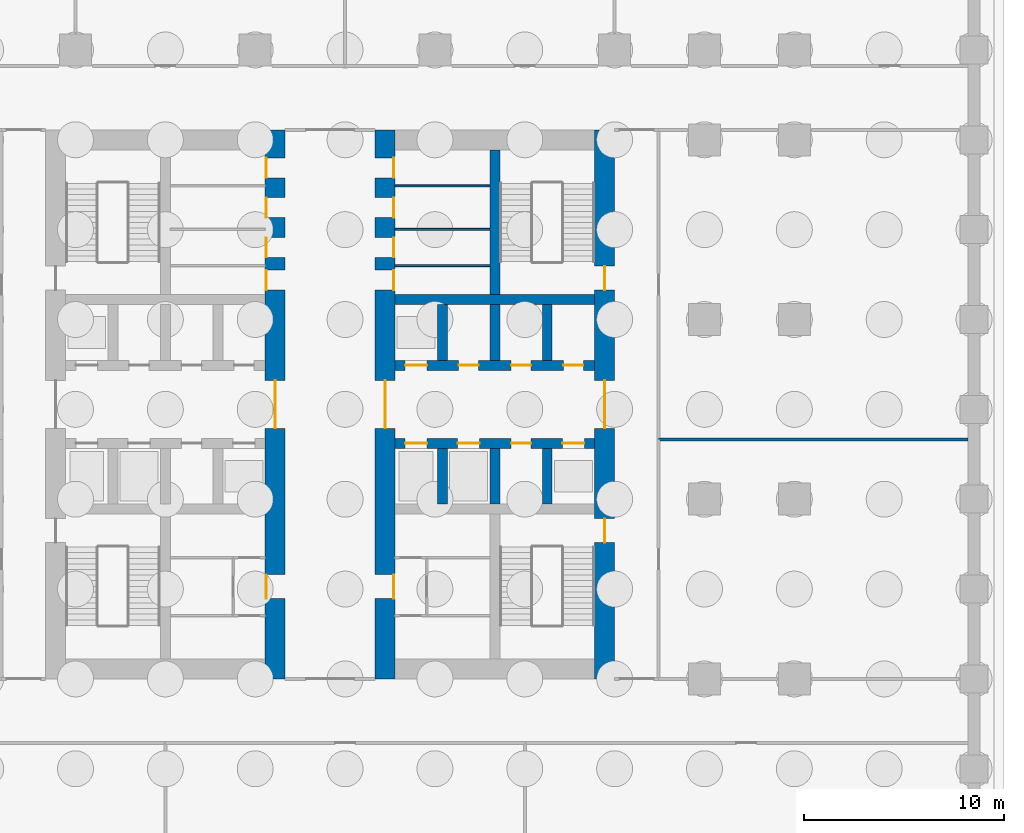
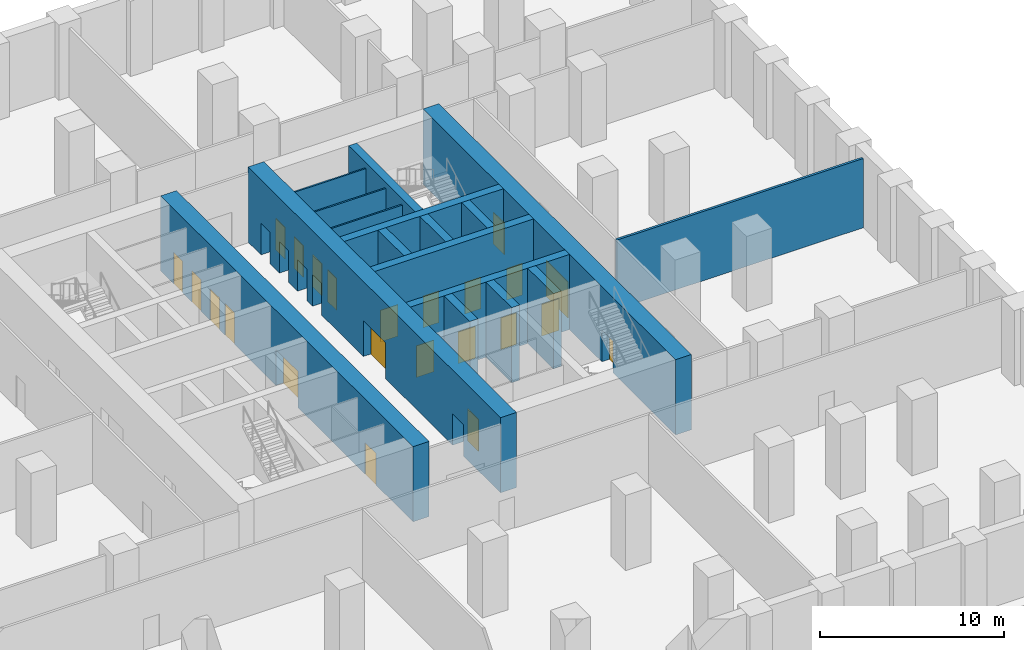
# One storey, part 5 of 9: 23 doors, 17 walls, 23 openings.
"""IFC4 building model written with IfcOpenShell, lengths in metres."""

from ifc_helpers import new_model, si_unit, direction, frame, frame_2d, origin, place, context, subcontext, project, spatial, rectangle, extrude, material, layer, layer_set, type_object, element, fill, save


model = new_model("IFC4")

# Units and contexts
model_context = context("Model", 3, precision=1e-05, world=origin(), true_north=direction((0.0, 1.0)))
body_context = subcontext(model_context, "Body", "Model", "MODEL_VIEW")
ifc_project = project(units=[si_unit("LENGTHUNIT", "METRE"), si_unit("AREAUNIT", "SQUARE_METRE"), si_unit("VOLUMEUNIT", "CUBIC_METRE"), si_unit("PLANEANGLEUNIT", "RADIAN"), si_unit("MASSUNIT", "GRAM", prefix="KILO")], contexts=[model_context])

# Site, building, storey
site_placement = place(None, origin())
site = spatial("IfcSite", under=ifc_project, at=site_placement, CompositionType="ELEMENT")
building_placement = place(site_placement, origin())
building = spatial("IfcBuilding", under=site, at=building_placement, Name="Corbel Stack Research Tower", CompositionType="ELEMENT")
storey_placement = place(building_placement, frame((0.0, 0.0, -10.0)))
storey = spatial("IfcBuildingStorey", under=building, at=storey_placement, Name="B2", CompositionType="ELEMENT", Elevation=-10.0)

# Wall
ifc_material_1 = material(Name="Concrete block", Category="concrete")
ifc_layer_1 = layer(ifc_material_1, 0.14990234375)
ifc_layer_set_1 = layer_set([ifc_layer_1], Name="Concrete block")
wall_type_1 = type_object("IfcWallType", Name="Base partition 150 B2", PredefinedType="PARTITIONING", material=ifc_layer_set_1)
wall_1_placement = place(storey_placement, frame((20.199951171875, 3.0, 0.0), z_axis=(0.0, 0.0, 1.0), x_axis=(1.0, 0.0, 0.0)))
element("IfcWall", 1, at=wall_1_placement, inside=storey, type_object=wall_type_1, Name="Partition B2", PredefinedType="PARTITIONING", context=body_context, shape_type="SweptSolid", body=[
    extrude(rectangle(XDim=15.5, YDim=0.14990234375, at=frame_2d((7.75, 0.0))), origin(), (0.0, 0.0, 1.0), 4.60009765625),
])

# Wall, openings, doors
ifc_material_2 = material(Name="Concrete C70/85", Category="concrete")
ifc_layer_2 = layer(ifc_material_2, 1.0)
ifc_layer_set_2 = layer_set([ifc_layer_2], Name="Concrete C70/85")
wall_type_2 = type_object("IfcWallType", Name="CW-1000-70", PredefinedType="SHEAR", material=ifc_layer_set_2)
wall_2_placement = place(storey_placement, frame((1.0, -9.0, 0.0), z_axis=(0.0, 0.0, 1.0), x_axis=(0.0, 1.0, 0.0)))
wall_2 = element("IfcWall", 2, at=wall_2_placement, inside=storey, type_object=wall_type_2, Name="West core wall, east face B2", PredefinedType="SHEAR", context=body_context, shape_type="SweptSolid", body=[
    extrude(rectangle(XDim=27.5, YDim=1.0, at=frame_2d((13.75, 0.0))), origin(), (0.0, 0.0, 1.0), 5.0),
])
opening_1_placement = place(wall_2_placement, frame((12.550048828125, 0.0, 0.0)))
opening_1 = element("IfcOpeningElement", 3, at=opening_1_placement, cuts=wall_2, Name="Opening CD-W-E", PredefinedType="OPENING", context=body_context, shape_type="SweptSolid", body=[
    extrude(rectangle(XDim=2.39990234375, YDim=2.39990234375, at=frame_2d((1.199951171875, 1.199951171875))), frame((0.0, 0.510009765625, 0.0), z_axis=(0.0, -1.0, 0.0), x_axis=(1.0, 0.0, 0.0)), (0.0, 0.0, 1.0), 1.02001953125),
])
opening_2_placement = place(wall_2_placement, frame((4.02490234375, 0.0, 0.0)))
opening_2 = element("IfcOpeningElement", 4, at=opening_2_placement, cuts=wall_2, Name="Opening CR-W36-W1-1200", PredefinedType="OPENING", context=body_context, shape_type="SweptSolid", body=[
    extrude(rectangle(XDim=1.199951171875, YDim=2.10009765625, at=frame_2d((0.60009765625, 1.050048828125))), frame((0.0, 0.510009765625, 0.0), z_axis=(0.0, -1.0, 0.0), x_axis=(1.0, 0.0, 0.0)), (0.0, 0.0, 1.0), 1.02001953125),
])
opening_3_placement = place(wall_2_placement, frame((19.47509765625, 0.0, 0.0)))
opening_3 = element("IfcOpeningElement", 5, at=opening_3_placement, cuts=wall_2, Name="Opening CR-W36-R1-1000", PredefinedType="OPENING", context=body_context, shape_type="SweptSolid", body=[
    extrude(rectangle(XDim=1.0, YDim=2.10009765625, at=frame_2d((0.5, 1.050048828125))), frame((0.0, 0.510009765625, 0.0), z_axis=(0.0, -1.0, 0.0), x_axis=(1.0, 0.0, 0.0)), (0.0, 0.0, 1.0), 1.02001953125),
])
opening_4_placement = place(wall_2_placement, frame((21.106201171875, 0.0, 0.0)))
opening_4 = element("IfcOpeningElement", 6, at=opening_4_placement, cuts=wall_2, Name="Opening CR-W36-R2-1000", PredefinedType="OPENING", context=body_context, shape_type="SweptSolid", body=[
    extrude(rectangle(XDim=1.0, YDim=2.10009765625, at=frame_2d((0.5, 1.050048828125))), frame((0.0, 0.510009765625, 0.0), z_axis=(0.0, -1.0, 0.0), x_axis=(1.0, 0.0, 0.0)), (0.0, 0.0, 1.0), 1.02001953125),
])
opening_5_placement = place(wall_2_placement, frame((23.10009765625, 0.0, 0.0)))
opening_5 = element("IfcOpeningElement", 7, at=opening_5_placement, cuts=wall_2, Name="Opening CR-W36-R3-1000", PredefinedType="OPENING", context=body_context, shape_type="SweptSolid", body=[
    extrude(rectangle(XDim=1.0, YDim=2.10009765625, at=frame_2d((0.5, 1.050048828125))), frame((0.0, 0.510009765625, 0.0), z_axis=(0.0, -1.0, 0.0), x_axis=(1.0, 0.0, 0.0)), (0.0, 0.0, 1.0), 1.02001953125),
])
opening_6_placement = place(wall_2_placement, frame((25.09375, 0.0, 0.0)))
opening_6 = element("IfcOpeningElement", 8, at=opening_6_placement, cuts=wall_2, Name="Opening CR-W36-R4-1000", PredefinedType="OPENING", context=body_context, shape_type="SweptSolid", body=[
    extrude(rectangle(XDim=1.0, YDim=2.10009765625, at=frame_2d((0.5, 1.050048828125))), frame((0.0, 0.510009765625, 0.0), z_axis=(0.0, -1.0, 0.0), x_axis=(1.0, 0.0, 0.0)), (0.0, 0.0, 1.0), 1.02001953125),
])
ifc_material_3 = material(Name="Painted steel fire door", Category="steel")
door_type_1 = type_object("IfcDoorType", Name="Lobby door pair 2400 x 2400 FD30S", OperationType="DOUBLE_DOOR_DOUBLE_SWING", PredefinedType="DOOR", material=ifc_material_3)
door_1_placement = place(opening_1_placement, origin())
door_1 = element("IfcDoor", 9, at=door_1_placement, inside=storey, type_object=door_type_1, Name="Lift lobby door W core E", OperationType="DOUBLE_DOOR_DOUBLE_SWING", OverallHeight=2.39990234375, OverallWidth=2.39990234375, PredefinedType="DOOR", context=body_context, shape_type="SweptSolid", body=[
    extrude(rectangle(XDim=2.39990234375, YDim=2.39990234375, at=frame_2d((1.199951171875, 1.199951171875))), frame((0.0, 0.02490234375, 0.0), z_axis=(0.0, -1.0, 0.0), x_axis=(1.0, 0.0, 0.0)), (0.0, 0.0, 1.0), 0.050048828125),
])
fill(opening_1, door_1)
ifc_material_4 = material(Name="Painted steel door", Category="steel")
door_type_2 = type_object("IfcDoorType", Name="Riser door 1000 x 2100 FD60 left hand", OperationType="SINGLE_SWING_LEFT", PredefinedType="DOOR", material=ifc_material_4)
door_2_placement = place(opening_3_placement, origin())
door_2 = element("IfcDoor", 10, at=door_2_placement, inside=storey, type_object=door_type_2, Name="Electrical riser door W core", OperationType="SINGLE_SWING_LEFT", OverallHeight=2.10009765625, OverallWidth=1.0, PredefinedType="DOOR", context=body_context, shape_type="SweptSolid", body=[
    extrude(rectangle(XDim=1.0, YDim=2.10009765625, at=frame_2d((0.5, 1.050048828125))), frame((0.0, 0.47509765625, 0.0), z_axis=(0.0, -1.0, 0.0), x_axis=(1.0, 0.0, 0.0)), (0.0, 0.0, 1.0), 0.050048828125),
])
fill(opening_3, door_2)
ifc_material_5 = material(Name="Painted steel door", Category="steel")
door_type_3 = type_object("IfcDoorType", Name="Riser door 1000 x 2100 FD60 right hand", OperationType="SINGLE_SWING_RIGHT", PredefinedType="DOOR", material=ifc_material_5)
door_3_placement = place(opening_4_placement, origin())
door_3 = element("IfcDoor", 11, at=door_3_placement, inside=storey, type_object=door_type_3, Name="Telecom room door W core", OperationType="SINGLE_SWING_RIGHT", OverallHeight=2.10009765625, OverallWidth=1.0, PredefinedType="DOOR", context=body_context, shape_type="SweptSolid", body=[
    extrude(rectangle(XDim=1.0, YDim=2.10009765625, at=frame_2d((0.5, 1.050048828125))), frame((0.0, 0.47509765625, 0.0), z_axis=(0.0, -1.0, 0.0), x_axis=(1.0, 0.0, 0.0)), (0.0, 0.0, 1.0), 0.050048828125),
])
fill(opening_4, door_3)
ifc_material_6 = material(Name="Painted steel door", Category="steel")
door_type_4 = type_object("IfcDoorType", Name="Service door 1000 x 2100 FD30 left hand", OperationType="SINGLE_SWING_LEFT", PredefinedType="DOOR", material=ifc_material_6)
door_4_placement = place(opening_5_placement, origin())
door_4 = element("IfcDoor", 12, at=door_4_placement, inside=storey, type_object=door_type_4, Name="Pantry door W core", OperationType="SINGLE_SWING_LEFT", OverallHeight=2.10009765625, OverallWidth=1.0, PredefinedType="DOOR", context=body_context, shape_type="SweptSolid", body=[
    extrude(rectangle(XDim=1.0, YDim=2.10009765625, at=frame_2d((0.5, 1.050048828125))), frame((0.0, 0.47509765625, 0.0), z_axis=(0.0, -1.0, 0.0), x_axis=(1.0, 0.0, 0.0)), (0.0, 0.0, 1.0), 0.050048828125),
])
fill(opening_5, door_4)
ifc_material_7 = material(Name="Painted steel door", Category="steel")
door_type_5 = type_object("IfcDoorType", Name="Service door 1000 x 2100 FD30 right hand", OperationType="SINGLE_SWING_RIGHT", PredefinedType="DOOR", material=ifc_material_7)
door_5_placement = place(opening_6_placement, origin())
door_5 = element("IfcDoor", 13, at=door_5_placement, inside=storey, type_object=door_type_5, Name="Cleaner's store door W core", OperationType="SINGLE_SWING_RIGHT", OverallHeight=2.10009765625, OverallWidth=1.0, PredefinedType="DOOR", context=body_context, shape_type="SweptSolid", body=[
    extrude(rectangle(XDim=1.0, YDim=2.10009765625, at=frame_2d((0.5, 1.050048828125))), frame((0.0, 0.47509765625, 0.0), z_axis=(0.0, -1.0, 0.0), x_axis=(1.0, 0.0, 0.0)), (0.0, 0.0, 1.0), 0.050048828125),
])
fill(opening_6, door_5)
ifc_material_8 = material(Name="Painted timber door", Category="wood")
door_type_6 = type_object("IfcDoorType", Name="WC door 1200 x 2100 left hand", OperationType="SINGLE_SWING_LEFT", PredefinedType="DOOR", material=ifc_material_8)
door_6_placement = place(opening_2_placement, origin())
door_6 = element("IfcDoor", 14, at=door_6_placement, inside=storey, type_object=door_type_6, Name="WC lobby door W core", OperationType="SINGLE_SWING_LEFT", OverallHeight=2.10009765625, OverallWidth=1.199951171875, PredefinedType="DOOR", context=body_context, shape_type="SweptSolid", body=[
    extrude(rectangle(XDim=1.199951171875, YDim=2.10009765625, at=frame_2d((0.60009765625, 1.050048828125))), frame((0.0, 0.47509765625, 0.0), z_axis=(0.0, -1.0, 0.0), x_axis=(1.0, 0.0, 0.0)), (0.0, 0.0, 1.0), 0.050048828125),
])
fill(opening_2, door_6)

wall_3_placement = place(storey_placement, frame((6.5, -9.0, 0.0), z_axis=(0.0, 0.0, 1.0), x_axis=(0.0, 1.0, 0.0)))
wall_3 = element("IfcWall", 15, at=wall_3_placement, inside=storey, type_object=wall_type_2, Name="East core wall, west face B2", PredefinedType="SHEAR", context=body_context, shape_type="SweptSolid", body=[
    extrude(rectangle(XDim=27.5, YDim=1.0, at=frame_2d((13.75, 0.0))), origin(), (0.0, 0.0, 1.0), 5.0),
])
opening_7_placement = place(wall_3_placement, frame((12.550048828125, 0.0, 0.0)))
opening_7 = element("IfcOpeningElement", 16, at=opening_7_placement, cuts=wall_3, Name="Opening CD-E-W", PredefinedType="OPENING", context=body_context, shape_type="SweptSolid", body=[
    extrude(rectangle(XDim=2.39990234375, YDim=2.39990234375, at=frame_2d((1.199951171875, 1.199951171875))), frame((0.0, 0.510009765625, 0.0), z_axis=(0.0, -1.0, 0.0), x_axis=(1.0, 0.0, 0.0)), (0.0, 0.0, 1.0), 1.02001953125),
])
opening_8_placement = place(wall_3_placement, frame((4.02490234375, 0.0, 0.0)))
opening_8 = element("IfcOpeningElement", 17, at=opening_8_placement, cuts=wall_3, Name="Opening CR-E36-W1-1200", PredefinedType="OPENING", context=body_context, shape_type="SweptSolid", body=[
    extrude(rectangle(XDim=1.199951171875, YDim=2.10009765625, at=frame_2d((0.60009765625, 1.050048828125))), frame((0.0, 0.510009765625, 0.0), z_axis=(0.0, -1.0, 0.0), x_axis=(1.0, 0.0, 0.0)), (0.0, 0.0, 1.0), 1.02001953125),
])
opening_9_placement = place(wall_3_placement, frame((19.47509765625, 0.0, 0.0)))
opening_9 = element("IfcOpeningElement", 18, at=opening_9_placement, cuts=wall_3, Name="Opening CR-E36-R1-1000", PredefinedType="OPENING", context=body_context, shape_type="SweptSolid", body=[
    extrude(rectangle(XDim=1.0, YDim=2.10009765625, at=frame_2d((0.5, 1.050048828125))), frame((0.0, 0.510009765625, 0.0), z_axis=(0.0, -1.0, 0.0), x_axis=(1.0, 0.0, 0.0)), (0.0, 0.0, 1.0), 1.02001953125),
])
opening_10_placement = place(wall_3_placement, frame((21.106201171875, 0.0, 0.0)))
opening_10 = element("IfcOpeningElement", 19, at=opening_10_placement, cuts=wall_3, Name="Opening CR-E36-R2-1000", PredefinedType="OPENING", context=body_context, shape_type="SweptSolid", body=[
    extrude(rectangle(XDim=1.0, YDim=2.10009765625, at=frame_2d((0.5, 1.050048828125))), frame((0.0, 0.510009765625, 0.0), z_axis=(0.0, -1.0, 0.0), x_axis=(1.0, 0.0, 0.0)), (0.0, 0.0, 1.0), 1.02001953125),
])
opening_11_placement = place(wall_3_placement, frame((23.10009765625, 0.0, 0.0)))
opening_11 = element("IfcOpeningElement", 20, at=opening_11_placement, cuts=wall_3, Name="Opening CR-E36-R3-1000", PredefinedType="OPENING", context=body_context, shape_type="SweptSolid", body=[
    extrude(rectangle(XDim=1.0, YDim=2.10009765625, at=frame_2d((0.5, 1.050048828125))), frame((0.0, 0.510009765625, 0.0), z_axis=(0.0, -1.0, 0.0), x_axis=(1.0, 0.0, 0.0)), (0.0, 0.0, 1.0), 1.02001953125),
])
opening_12_placement = place(wall_3_placement, frame((25.09375, 0.0, 0.0)))
opening_12 = element("IfcOpeningElement", 21, at=opening_12_placement, cuts=wall_3, Name="Opening CR-E36-R4-1000", PredefinedType="OPENING", context=body_context, shape_type="SweptSolid", body=[
    extrude(rectangle(XDim=1.0, YDim=2.10009765625, at=frame_2d((0.5, 1.050048828125))), frame((0.0, 0.510009765625, 0.0), z_axis=(0.0, -1.0, 0.0), x_axis=(1.0, 0.0, 0.0)), (0.0, 0.0, 1.0), 1.02001953125),
])
door_7_placement = place(opening_7_placement, origin())
door_7 = element("IfcDoor", 22, at=door_7_placement, inside=storey, type_object=door_type_1, Name="Lift lobby door E core W", OperationType="DOUBLE_DOOR_DOUBLE_SWING", OverallHeight=2.39990234375, OverallWidth=2.39990234375, PredefinedType="DOOR", context=body_context, shape_type="SweptSolid", body=[
    extrude(rectangle(XDim=2.39990234375, YDim=2.39990234375, at=frame_2d((1.199951171875, 1.199951171875))), frame((0.0, 0.02490234375, 0.0), z_axis=(0.0, -1.0, 0.0), x_axis=(1.0, 0.0, 0.0)), (0.0, 0.0, 1.0), 0.050048828125),
])
fill(opening_7, door_7)
door_8_placement = place(opening_10_placement, origin())
door_8 = element("IfcDoor", 23, at=door_8_placement, inside=storey, type_object=door_type_2, Name="Telecom room door E core", OperationType="SINGLE_SWING_LEFT", OverallHeight=2.10009765625, OverallWidth=1.0, PredefinedType="DOOR", context=body_context, shape_type="SweptSolid", body=[
    extrude(rectangle(XDim=1.0, YDim=2.10009765625, at=frame_2d((0.5, 1.050048828125))), frame((0.0, -0.4248046875, 0.0), z_axis=(0.0, -1.0, 0.0), x_axis=(1.0, 0.0, 0.0)), (0.0, 0.0, 1.0), 0.050048828125),
])
fill(opening_10, door_8)
door_9_placement = place(opening_9_placement, origin())
door_9 = element("IfcDoor", 24, at=door_9_placement, inside=storey, type_object=door_type_3, Name="Electrical riser door E core", OperationType="SINGLE_SWING_RIGHT", OverallHeight=2.10009765625, OverallWidth=1.0, PredefinedType="DOOR", context=body_context, shape_type="SweptSolid", body=[
    extrude(rectangle(XDim=1.0, YDim=2.10009765625, at=frame_2d((0.5, 1.050048828125))), frame((0.0, -0.4248046875, 0.0), z_axis=(0.0, -1.0, 0.0), x_axis=(1.0, 0.0, 0.0)), (0.0, 0.0, 1.0), 0.050048828125),
])
fill(opening_9, door_9)
door_10_placement = place(opening_12_placement, origin())
door_10 = element("IfcDoor", 25, at=door_10_placement, inside=storey, type_object=door_type_4, Name="Cleaner's store door E core", OperationType="SINGLE_SWING_LEFT", OverallHeight=2.10009765625, OverallWidth=1.0, PredefinedType="DOOR", context=body_context, shape_type="SweptSolid", body=[
    extrude(rectangle(XDim=1.0, YDim=2.10009765625, at=frame_2d((0.5, 1.050048828125))), frame((0.0, -0.4248046875, 0.0), z_axis=(0.0, -1.0, 0.0), x_axis=(1.0, 0.0, 0.0)), (0.0, 0.0, 1.0), 0.050048828125),
])
fill(opening_12, door_10)
door_11_placement = place(opening_11_placement, origin())
door_11 = element("IfcDoor", 26, at=door_11_placement, inside=storey, type_object=door_type_5, Name="Pantry door E core", OperationType="SINGLE_SWING_RIGHT", OverallHeight=2.10009765625, OverallWidth=1.0, PredefinedType="DOOR", context=body_context, shape_type="SweptSolid", body=[
    extrude(rectangle(XDim=1.0, YDim=2.10009765625, at=frame_2d((0.5, 1.050048828125))), frame((0.0, -0.4248046875, 0.0), z_axis=(0.0, -1.0, 0.0), x_axis=(1.0, 0.0, 0.0)), (0.0, 0.0, 1.0), 0.050048828125),
])
fill(opening_11, door_11)
ifc_material_9 = material(Name="Painted timber door", Category="wood")
door_type_7 = type_object("IfcDoorType", Name="WC door 1200 x 2100 right hand", OperationType="SINGLE_SWING_RIGHT", PredefinedType="DOOR", material=ifc_material_9)
door_12_placement = place(opening_8_placement, origin())
door_12 = element("IfcDoor", 27, at=door_12_placement, inside=storey, type_object=door_type_7, Name="WC lobby door E core", OperationType="SINGLE_SWING_RIGHT", OverallHeight=2.10009765625, OverallWidth=1.199951171875, PredefinedType="DOOR", context=body_context, shape_type="SweptSolid", body=[
    extrude(rectangle(XDim=1.199951171875, YDim=2.10009765625, at=frame_2d((0.60009765625, 1.050048828125))), frame((0.0, -0.4248046875, 0.0), z_axis=(0.0, -1.0, 0.0), x_axis=(1.0, 0.0, 0.0)), (0.0, 0.0, 1.0), 0.050048828125),
])
fill(opening_8, door_12)

wall_4_placement = place(storey_placement, frame((17.5, -9.0, 0.0), z_axis=(0.0, 0.0, 1.0), x_axis=(0.0, 1.0, 0.0)))
wall_4 = element("IfcWall", 28, at=wall_4_placement, inside=storey, type_object=wall_type_2, Name="East core wall, east face B2", PredefinedType="SHEAR", context=body_context, shape_type="SweptSolid", body=[
    extrude(rectangle(XDim=27.5, YDim=1.0, at=frame_2d((13.75, 0.0))), origin(), (0.0, 0.0, 1.0), 5.0),
])
opening_13_placement = place(wall_4_placement, frame((12.550048828125, 0.0, 0.0)))
opening_13 = element("IfcOpeningElement", 29, at=opening_13_placement, cuts=wall_4, Name="Opening CD-E-E", PredefinedType="OPENING", context=body_context, shape_type="SweptSolid", body=[
    extrude(rectangle(XDim=2.39990234375, YDim=2.39990234375, at=frame_2d((1.199951171875, 1.199951171875))), frame((0.0, 0.510009765625, 0.0), z_axis=(0.0, -1.0, 0.0), x_axis=(1.0, 0.0, 0.0)), (0.0, 0.0, 1.0), 1.02001953125),
])
opening_14_placement = place(wall_4_placement, frame((6.824951171875, 0.0, 0.0)))
opening_14 = element("IfcOpeningElement", 30, at=opening_14_placement, cuts=wall_4, Name="Opening SD-ST-E1", PredefinedType="OPENING", context=body_context, shape_type="SweptSolid", body=[
    extrude(rectangle(XDim=1.199951171875, YDim=2.10009765625, at=frame_2d((0.60009765625, 1.050048828125))), frame((0.0, 0.510009765625, 0.0), z_axis=(0.0, -1.0, 0.0), x_axis=(1.0, 0.0, 0.0)), (0.0, 0.0, 1.0), 1.02001953125),
])
opening_15_placement = place(wall_4_placement, frame((19.47509765625, 0.0, 0.0)))
opening_15 = element("IfcOpeningElement", 31, at=opening_15_placement, cuts=wall_4, Name="Opening SD-ST-E2", PredefinedType="OPENING", context=body_context, shape_type="SweptSolid", body=[
    extrude(rectangle(XDim=1.199951171875, YDim=2.10009765625, at=frame_2d((0.60009765625, 1.050048828125))), frame((0.0, 0.510009765625, 0.0), z_axis=(0.0, -1.0, 0.0), x_axis=(1.0, 0.0, 0.0)), (0.0, 0.0, 1.0), 1.02001953125),
])
door_13_placement = place(opening_13_placement, origin())
door_13 = element("IfcDoor", 32, at=door_13_placement, inside=storey, type_object=door_type_1, Name="Lift lobby door E core E", OperationType="DOUBLE_DOOR_DOUBLE_SWING", OverallHeight=2.39990234375, OverallWidth=2.39990234375, PredefinedType="DOOR", context=body_context, shape_type="SweptSolid", body=[
    extrude(rectangle(XDim=2.39990234375, YDim=2.39990234375, at=frame_2d((1.199951171875, 1.199951171875))), frame((0.0, 0.02490234375, 0.0), z_axis=(0.0, -1.0, 0.0), x_axis=(1.0, 0.0, 0.0)), (0.0, 0.0, 1.0), 0.050048828125),
])
fill(opening_13, door_13)
ifc_material_10 = material(Name="Painted steel fire door", Category="steel")
door_type_8 = type_object("IfcDoorType", Name="Stair door 1200 x 2100 FD90 right hand", OperationType="SINGLE_SWING_RIGHT", PredefinedType="DOOR", material=ifc_material_10)
door_14_placement = place(opening_14_placement, frame((1.199951171875, 0.0, 0.0), z_axis=(0.0, 0.0, 1.0), x_axis=(-1.0, 0.0, 0.0)))
door_14 = element("IfcDoor", 33, at=door_14_placement, inside=storey, type_object=door_type_8, Name="Stair door ST-E1", OperationType="SINGLE_SWING_LEFT", OverallHeight=2.10009765625, OverallWidth=1.199951171875, PredefinedType="DOOR", context=body_context, shape_type="SweptSolid", body=[
    extrude(rectangle(XDim=1.199951171875, YDim=2.10009765625, at=frame_2d((0.60009765625, 1.050048828125))), frame((0.0, 0.02490234375, 0.0), z_axis=(0.0, -1.0, 0.0), x_axis=(1.0, 0.0, 0.0)), (0.0, 0.0, 1.0), 0.050048828125),
])
fill(opening_14, door_14)
door_15_placement = place(opening_15_placement, frame((1.199951171875, 0.0, 0.0), z_axis=(0.0, 0.0, 1.0), x_axis=(-1.0, 0.0, 0.0)))
door_15 = element("IfcDoor", 34, at=door_15_placement, inside=storey, type_object=door_type_8, Name="Stair door ST-E2", OperationType="SINGLE_SWING_LEFT", OverallHeight=2.10009765625, OverallWidth=1.199951171875, PredefinedType="DOOR", context=body_context, shape_type="SweptSolid", body=[
    extrude(rectangle(XDim=1.199951171875, YDim=2.10009765625, at=frame_2d((0.60009765625, 1.050048828125))), frame((0.0, 0.02490234375, 0.0), z_axis=(0.0, -1.0, 0.0), x_axis=(1.0, 0.0, 0.0)), (0.0, 0.0, 1.0), 0.050048828125),
])
fill(opening_15, door_15)

ifc_material_11 = material(Name="Concrete C70/85", Category="concrete")
ifc_layer_3 = layer(ifc_material_11, 0.5)
ifc_layer_set_3 = layer_set([ifc_layer_3], Name="Concrete C70/85")
wall_type_3 = type_object("IfcWallType", Name="CW-500-70", PredefinedType="SHEAR", material=ifc_layer_set_3)
wall_5_placement = place(storey_placement, frame((7.0, 2.800048828125, 0.0), z_axis=(0.0, 0.0, 1.0), x_axis=(1.0, 0.0, 0.0)))
wall_5 = element("IfcWall", 35, at=wall_5_placement, inside=storey, type_object=wall_type_3, Name="East core wall, lobby south B2", PredefinedType="SHEAR", context=body_context, shape_type="SweptSolid", body=[
    extrude(rectangle(XDim=10.0, YDim=0.5, at=frame_2d((5.0, 0.0))), origin(), (0.0, 0.0, 1.0), 5.0),
])
opening_16_placement = place(wall_5_placement, frame((0.512451171875, 0.0, 0.0)))
opening_16 = element("IfcOpeningElement", 36, at=opening_16_placement, cuts=wall_5, Name="Opening LD-FS2", PredefinedType="OPENING", context=body_context, shape_type="SweptSolid", body=[
    extrude(rectangle(XDim=1.10009765625, YDim=2.10009765625, at=frame_2d((0.550048828125, 1.050048828125))), frame((0.0, 0.260009765625, 0.0), z_axis=(0.0, -1.0, 0.0), x_axis=(1.0, 0.0, 0.0)), (0.0, 0.0, 1.0), 0.52001953125),
])
opening_17_placement = place(wall_5_placement, frame((3.137451171875, 0.0, 0.0)))
opening_17 = element("IfcOpeningElement", 37, at=opening_17_placement, cuts=wall_5, Name="Opening LD-GL2", PredefinedType="OPENING", context=body_context, shape_type="SweptSolid", body=[
    extrude(rectangle(XDim=1.10009765625, YDim=2.10009765625, at=frame_2d((0.550048828125, 1.050048828125))), frame((0.0, 0.260009765625, 0.0), z_axis=(0.0, -1.0, 0.0), x_axis=(1.0, 0.0, 0.0)), (0.0, 0.0, 1.0), 0.52001953125),
])
opening_18_placement = place(wall_5_placement, frame((8.387451171875, 0.0, 0.0)))
opening_18 = element("IfcOpeningElement", 38, at=opening_18_placement, cuts=wall_5, Name="Opening LD-LR3", PredefinedType="OPENING", context=body_context, shape_type="SweptSolid", body=[
    extrude(rectangle(XDim=1.10009765625, YDim=2.10009765625, at=frame_2d((0.550048828125, 1.050048828125))), frame((0.0, 0.260009765625, 0.0), z_axis=(0.0, -1.0, 0.0), x_axis=(1.0, 0.0, 0.0)), (0.0, 0.0, 1.0), 0.52001953125),
])
opening_19_placement = place(wall_5_placement, frame((5.8125, 0.0, 0.0)))
opening_19 = element("IfcOpeningElement", 39, at=opening_19_placement, cuts=wall_5, Name="Opening CR-E36-S3", PredefinedType="OPENING", context=body_context, shape_type="SweptSolid", body=[
    extrude(rectangle(XDim=1.0, YDim=2.10009765625, at=frame_2d((0.5, 1.050048828125))), frame((0.0, 0.260009765625, 0.0), z_axis=(0.0, -1.0, 0.0), x_axis=(1.0, 0.0, 0.0)), (0.0, 0.0, 1.0), 0.52001953125),
])
ifc_material_12 = material(Name="Stainless steel landing door", Category="steel")
door_type_9 = type_object("IfcDoorType", Name="Lift landing door 1100 x 2100", OperationType="DOUBLE_DOOR_SLIDING", PredefinedType="DOOR", material=ifc_material_12)
door_16_placement = place(opening_16_placement, origin())
door_16 = element("IfcDoor", 40, at=door_16_placement, inside=storey, type_object=door_type_9, Name="Landing door FS2", OperationType="DOUBLE_DOOR_SLIDING", OverallHeight=2.10009765625, OverallWidth=1.10009765625, PredefinedType="DOOR", context=body_context, shape_type="SweptSolid", body=[
    extrude(rectangle(XDim=1.10009765625, YDim=2.10009765625, at=frame_2d((0.550048828125, 1.050048828125))), frame((0.0, 0.02490234375, 0.0), z_axis=(0.0, -1.0, 0.0), x_axis=(1.0, 0.0, 0.0)), (0.0, 0.0, 1.0), 0.050048828125),
])
fill(opening_16, door_16)
door_17_placement = place(opening_17_placement, origin())
door_17 = element("IfcDoor", 41, at=door_17_placement, inside=storey, type_object=door_type_9, Name="Landing door GL2", OperationType="DOUBLE_DOOR_SLIDING", OverallHeight=2.10009765625, OverallWidth=1.10009765625, PredefinedType="DOOR", context=body_context, shape_type="SweptSolid", body=[
    extrude(rectangle(XDim=1.10009765625, YDim=2.10009765625, at=frame_2d((0.550048828125, 1.050048828125))), frame((0.0, 0.02490234375, 0.0), z_axis=(0.0, -1.0, 0.0), x_axis=(1.0, 0.0, 0.0)), (0.0, 0.0, 1.0), 0.050048828125),
])
fill(opening_17, door_17)
door_18_placement = place(opening_18_placement, origin())
door_18 = element("IfcDoor", 42, at=door_18_placement, inside=storey, type_object=door_type_9, Name="Landing door LR3", OperationType="DOUBLE_DOOR_SLIDING", OverallHeight=2.10009765625, OverallWidth=1.10009765625, PredefinedType="DOOR", context=body_context, shape_type="SweptSolid", body=[
    extrude(rectangle(XDim=1.10009765625, YDim=2.10009765625, at=frame_2d((0.550048828125, 1.050048828125))), frame((0.0, 0.02490234375, 0.0), z_axis=(0.0, -1.0, 0.0), x_axis=(1.0, 0.0, 0.0)), (0.0, 0.0, 1.0), 0.050048828125),
])
fill(opening_18, door_18)
ifc_material_13 = material(Name="Painted steel door", Category="steel")
door_type_10 = type_object("IfcDoorType", Name="Service door 1000 x 2100 FD60 left hand", OperationType="SINGLE_SWING_LEFT", PredefinedType="DOOR", material=ifc_material_13)
door_19_placement = place(opening_19_placement, origin())
door_19 = element("IfcDoor", 43, at=door_19_placement, inside=storey, type_object=door_type_10, Name="Chemical waste store door E core", OperationType="SINGLE_SWING_LEFT", OverallHeight=2.10009765625, OverallWidth=1.0, PredefinedType="DOOR", context=body_context, shape_type="SweptSolid", body=[
    extrude(rectangle(XDim=1.0, YDim=2.10009765625, at=frame_2d((0.5, 1.050048828125))), frame((0.0, 0.02490234375, 0.0), z_axis=(0.0, -1.0, 0.0), x_axis=(1.0, 0.0, 0.0)), (0.0, 0.0, 1.0), 0.050048828125),
])
fill(opening_19, door_19)

wall_6_placement = place(storey_placement, frame((7.0, 6.699951171875, 0.0), z_axis=(0.0, 0.0, 1.0), x_axis=(1.0, 0.0, 0.0)))
wall_6 = element("IfcWall", 44, at=wall_6_placement, inside=storey, type_object=wall_type_3, Name="East core wall, lobby north B2", PredefinedType="SHEAR", context=body_context, shape_type="SweptSolid", body=[
    extrude(rectangle(XDim=10.0, YDim=0.5, at=frame_2d((5.0, 0.0))), origin(), (0.0, 0.0, 1.0), 5.0),
])
opening_20_placement = place(wall_6_placement, frame((0.512451171875, 0.0, 0.0)))
opening_20 = element("IfcOpeningElement", 45, at=opening_20_placement, cuts=wall_6, Name="Opening LD-LR4", PredefinedType="OPENING", context=body_context, shape_type="SweptSolid", body=[
    extrude(rectangle(XDim=1.10009765625, YDim=2.10009765625, at=frame_2d((0.550048828125, 1.050048828125))), frame((0.0, 0.260009765625, 0.0), z_axis=(0.0, -1.0, 0.0), x_axis=(1.0, 0.0, 0.0)), (0.0, 0.0, 1.0), 0.52001953125),
])
opening_21_placement = place(wall_6_placement, frame((3.1875, 0.0, 0.0)))
opening_21 = element("IfcOpeningElement", 46, at=opening_21_placement, cuts=wall_6, Name="Opening CR-E36-N2", PredefinedType="OPENING", context=body_context, shape_type="SweptSolid", body=[
    extrude(rectangle(XDim=1.0, YDim=2.10009765625, at=frame_2d((0.5, 1.050048828125))), frame((0.0, 0.260009765625, 0.0), z_axis=(0.0, -1.0, 0.0), x_axis=(1.0, 0.0, 0.0)), (0.0, 0.0, 1.0), 0.52001953125),
])
opening_22_placement = place(wall_6_placement, frame((5.8125, 0.0, 0.0)))
opening_22 = element("IfcOpeningElement", 47, at=opening_22_placement, cuts=wall_6, Name="Opening CR-E36-N3", PredefinedType="OPENING", context=body_context, shape_type="SweptSolid", body=[
    extrude(rectangle(XDim=1.0, YDim=2.10009765625, at=frame_2d((0.5, 1.050048828125))), frame((0.0, 0.260009765625, 0.0), z_axis=(0.0, -1.0, 0.0), x_axis=(1.0, 0.0, 0.0)), (0.0, 0.0, 1.0), 0.52001953125),
])
opening_23_placement = place(wall_6_placement, frame((8.4375, 0.0, 0.0)))
opening_23 = element("IfcOpeningElement", 48, at=opening_23_placement, cuts=wall_6, Name="Opening CR-E36-N4", PredefinedType="OPENING", context=body_context, shape_type="SweptSolid", body=[
    extrude(rectangle(XDim=1.0, YDim=2.10009765625, at=frame_2d((0.5, 1.050048828125))), frame((0.0, 0.260009765625, 0.0), z_axis=(0.0, -1.0, 0.0), x_axis=(1.0, 0.0, 0.0)), (0.0, 0.0, 1.0), 0.52001953125),
])
door_20_placement = place(opening_20_placement, origin())
door_20 = element("IfcDoor", 49, at=door_20_placement, inside=storey, type_object=door_type_9, Name="Landing door LR4", OperationType="DOUBLE_DOOR_SLIDING", OverallHeight=2.10009765625, OverallWidth=1.10009765625, PredefinedType="DOOR", context=body_context, shape_type="SweptSolid", body=[
    extrude(rectangle(XDim=1.10009765625, YDim=2.10009765625, at=frame_2d((0.550048828125, 1.050048828125))), frame((0.0, 0.02490234375, 0.0), z_axis=(0.0, -1.0, 0.0), x_axis=(1.0, 0.0, 0.0)), (0.0, 0.0, 1.0), 0.050048828125),
])
fill(opening_20, door_20)
door_21_placement = place(opening_22_placement, origin())
door_21 = element("IfcDoor", 50, at=door_21_placement, inside=storey, type_object=door_type_10, Name="Compressor room door E core", OperationType="SINGLE_SWING_LEFT", OverallHeight=2.10009765625, OverallWidth=1.0, PredefinedType="DOOR", context=body_context, shape_type="SweptSolid", body=[
    extrude(rectangle(XDim=1.0, YDim=2.10009765625, at=frame_2d((0.5, 1.050048828125))), frame((0.0, 0.02490234375, 0.0), z_axis=(0.0, -1.0, 0.0), x_axis=(1.0, 0.0, 0.0)), (0.0, 0.0, 1.0), 0.050048828125),
])
fill(opening_22, door_21)
ifc_material_14 = material(Name="Painted steel door", Category="steel")
door_type_11 = type_object("IfcDoorType", Name="Service door 1000 x 2100 FD60 right hand", OperationType="SINGLE_SWING_RIGHT", PredefinedType="DOOR", material=ifc_material_14)
door_22_placement = place(opening_21_placement, origin())
door_22 = element("IfcDoor", 51, at=door_22_placement, inside=storey, type_object=door_type_11, Name="Electrical switch room door E core", OperationType="SINGLE_SWING_RIGHT", OverallHeight=2.10009765625, OverallWidth=1.0, PredefinedType="DOOR", context=body_context, shape_type="SweptSolid", body=[
    extrude(rectangle(XDim=1.0, YDim=2.10009765625, at=frame_2d((0.5, 1.050048828125))), frame((0.0, 0.02490234375, 0.0), z_axis=(0.0, -1.0, 0.0), x_axis=(1.0, 0.0, 0.0)), (0.0, 0.0, 1.0), 0.050048828125),
])
fill(opening_21, door_22)
door_23_placement = place(opening_23_placement, origin())
door_23 = element("IfcDoor", 52, at=door_23_placement, inside=storey, type_object=door_type_11, Name="Chemical waste store door E core", OperationType="SINGLE_SWING_RIGHT", OverallHeight=2.10009765625, OverallWidth=1.0, PredefinedType="DOOR", context=body_context, shape_type="SweptSolid", body=[
    extrude(rectangle(XDim=1.0, YDim=2.10009765625, at=frame_2d((0.5, 1.050048828125))), frame((0.0, 0.02490234375, 0.0), z_axis=(0.0, -1.0, 0.0), x_axis=(1.0, 0.0, 0.0)), (0.0, 0.0, 1.0), 0.050048828125),
])
fill(opening_23, door_23)

# Walls
wall_7_placement = place(storey_placement, frame((7.0, 10.0, 0.0), z_axis=(0.0, 0.0, 1.0), x_axis=(1.0, 0.0, 0.0)))
element("IfcWall", 53, at=wall_7_placement, inside=storey, type_object=wall_type_3, Name="East core wall, north row back B2", PredefinedType="SHEAR", context=body_context, shape_type="SweptSolid", body=[
    extrude(rectangle(XDim=10.0, YDim=0.5, at=frame_2d((5.0, 0.0))), origin(), (0.0, 0.0, 1.0), 5.0),
])
for number, where, z_axis, x_axis, name in (
    (54, (9.375, -0.25, 0.0), (0.0, 0.0, 1.0), (0.0, 1.0, 0.0), "East core wall, south shaft 1 B2"),
    (55, (9.375, 6.949951171875, 0.0), (0.0, 0.0, 1.0), (0.0, 1.0, 0.0), "East core wall, north shaft 1 B2"),
    (56, (12.0, -0.25, 0.0), (0.0, 0.0, 1.0), (0.0, 1.0, 0.0), "East core wall, south shaft 2 B2"),
    (57, (12.0, 6.949951171875, 0.0), (0.0, 0.0, 1.0), (0.0, 1.0, 0.0), "East core wall, north shaft 2 B2"),
    (58, (14.625, -0.25, 0.0), (0.0, 0.0, 1.0), (0.0, 1.0, 0.0), "East core wall, south shaft 3 B2"),
    (59, (14.625, 6.949951171875, 0.0), (0.0, 0.0, 1.0), (0.0, 1.0, 0.0), "East core wall, north shaft 3 B2"),
):
    element("IfcWall", number, at=place(storey_placement, frame(where, z_axis=z_axis, x_axis=x_axis)), inside=storey, type_object=wall_type_3, Name=name, PredefinedType="SHEAR", context=body_context, shape_type="SweptSolid", body=[
        extrude(rectangle(XDim=2.800048828125, YDim=0.5, at=frame_2d((1.39990234375, 0.0))), origin(), (0.0, 0.0, 1.0), 5.0),
    ])
wall_8_placement = place(storey_placement, frame((12.0, 10.25, 0.0), z_axis=(0.0, 0.0, 1.0), x_axis=(0.0, 1.0, 0.0)))
element("IfcWall", 60, at=wall_8_placement, inside=storey, type_object=wall_type_3, Name="East core wall, north stair and riser B2", PredefinedType="SHEAR", context=body_context, shape_type="SweptSolid", body=[
    extrude(rectangle(XDim=7.25, YDim=0.5, at=frame_2d((3.625, 0.0))), origin(), (0.0, 0.0, 1.0), 5.0),
])
ifc_material_15 = material(Name="Gypsum board")
ifc_layer_4 = layer(ifc_material_15, 0.10009765625)
ifc_layer_set_4 = layer_set([ifc_layer_4], Name="Gypsum board")
wall_type_4 = type_object("IfcWallType", Name="Core partition 100", PredefinedType="PARTITIONING", material=ifc_layer_set_4)
for number, where, z_axis, x_axis, name in (
    (61, (7.0, 11.699951171875, 0.0), (0.0, 0.0, 1.0), (1.0, 0.0, 0.0), "Core partition E"),
    (62, (7.0, 13.512451171875, 0.0), (0.0, 0.0, 1.0), (1.0, 0.0, 0.0), "Core partition E"),
    (63, (7.0, 15.6875, 0.0), (0.0, 0.0, 1.0), (1.0, 0.0, 0.0), "Core partition E"),
):
    element("IfcWall", number, at=place(storey_placement, frame(where, z_axis=z_axis, x_axis=x_axis)), inside=storey, type_object=wall_type_4, Name=name, PredefinedType="PARTITIONING", context=body_context, shape_type="SweptSolid", body=[
        extrude(rectangle(XDim=4.75, YDim=0.10009765625, at=frame_2d((2.375, 0.0))), origin(), (0.0, 0.0, 1.0), 4.60009765625),
    ])

save(model, "model.ifc")
